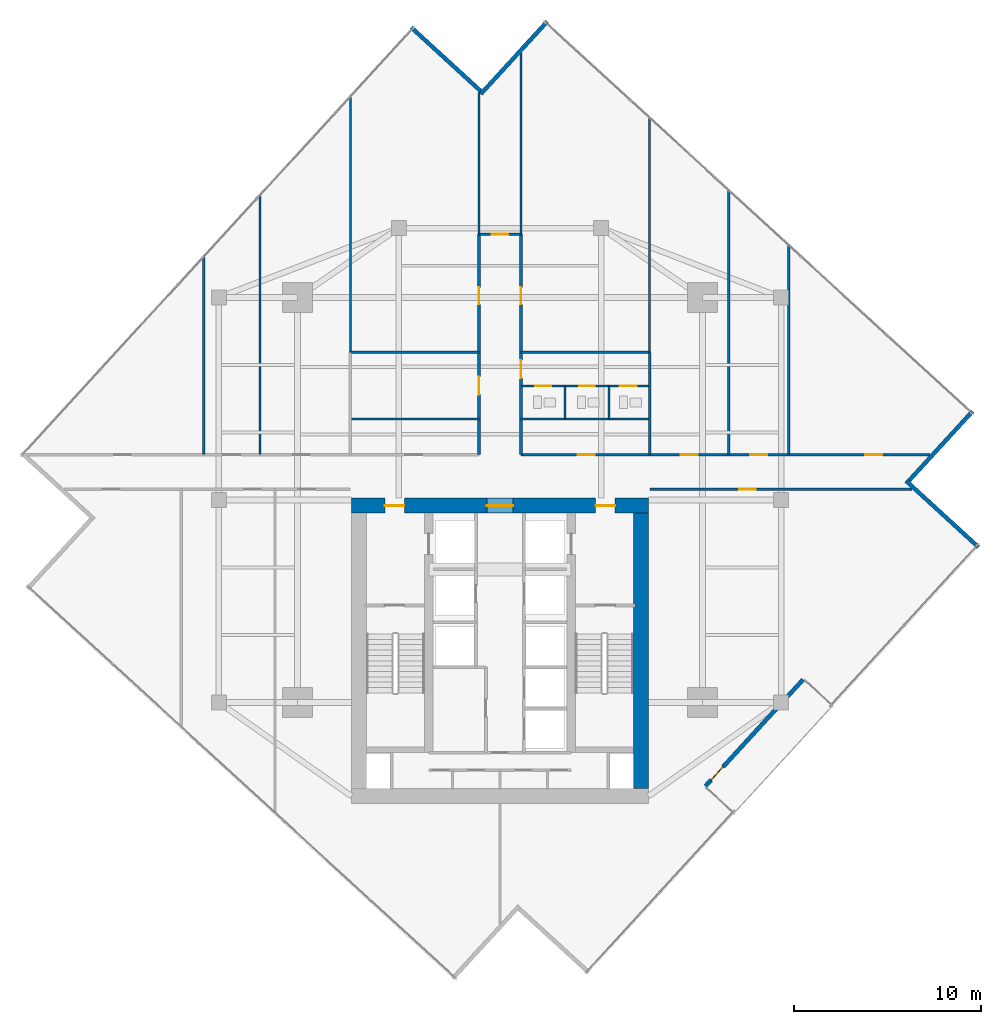
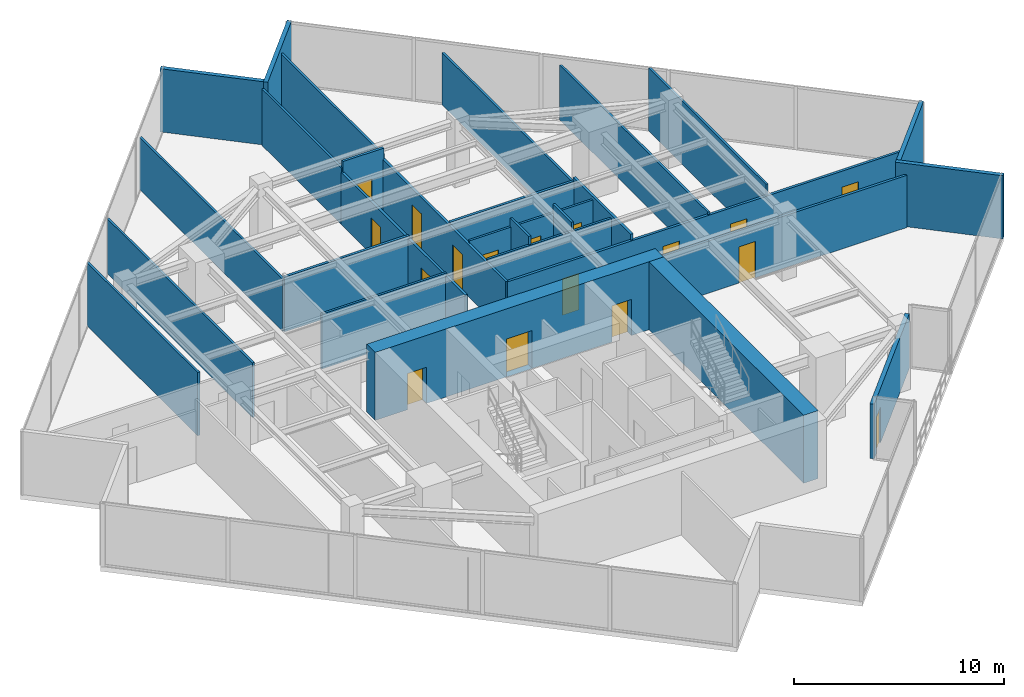
# One storey, part 23 of 26: 28 walls, 17 doors, 17 openings.
"""IFC4 building model written with IfcOpenShell, lengths in metres."""

from ifc_helpers import new_model, si_unit, direction, frame, frame_2d, origin, place, context, subcontext, project, spatial, rectangle, extrude, material, layer, layer_set, type_object, element, fill, save


model = new_model("IFC4")

# Units and contexts
model_context = context("Model", 3, precision=1e-05, world=origin(), true_north=direction((0.0, 1.0)))
body_context = subcontext(model_context, "Body", "Model", "MODEL_VIEW")
ifc_project = project(units=[si_unit("LENGTHUNIT", "METRE"), si_unit("AREAUNIT", "SQUARE_METRE"), si_unit("VOLUMEUNIT", "CUBIC_METRE"), si_unit("PLANEANGLEUNIT", "RADIAN"), si_unit("MASSUNIT", "GRAM", prefix="KILO")], contexts=[model_context])

# Site, building, storey
site_placement = place(None, origin())
site = spatial("IfcSite", under=ifc_project, at=site_placement, CompositionType="ELEMENT")
building_placement = place(site_placement, origin())
building = spatial("IfcBuilding", under=site, at=building_placement, Name="Krantzveldt Concourse Tower", CompositionType="ELEMENT")
storey_placement = place(building_placement, frame((0.0, 0.0, 223.10009765625)))
storey = spatial("IfcBuildingStorey", under=building, at=storey_placement, Name="L54", CompositionType="ELEMENT", Elevation=223.10009765625)

# Wall
ifc_material_1 = material(Name="Anodised aluminium 6063-T6", Category="aluminium")
ifc_layer_1 = layer(ifc_material_1, 0.219970703125, Name="Anodised aluminium 6063-T6", Category="aluminium")
ifc_layer_set_1 = layer_set([ifc_layer_1], Name="Anodised aluminium 6063-T6 (WL-EXT-NOTCH220)")
wall_type_1 = type_object("IfcWallType", Name="WL-EXT-NOTCH220", PredefinedType="ELEMENTEDWALL", material=ifc_layer_set_1)
wall_1_placement = place(storey_placement, frame((34.969482421875, 48.518310546875, 0.0), z_axis=(0.0, 0.0, 1.0), x_axis=(-0.737285215553, 0.675581609375, 0.0)))
element("IfcWall", 1, at=wall_1_placement, inside=storey, type_object=wall_type_1, Name="EW-L54-NCH00", PredefinedType="ELEMENTEDWALL", context=body_context, shape_type="SweptSolid", body=[
    extrude(rectangle(XDim=5.02490234375, YDim=0.219970703125, at=frame_2d((2.512451171875, 0.0))), origin(), (0.0, 0.0, 1.0), 3.669921875),
])

# Wall, opening, door
wall_2_placement = place(storey_placement, frame((52.15625, 17.11083984375, 0.0), z_axis=(0.0, 0.0, 1.0), x_axis=(-0.675590917682, -0.737276686153, 0.0)))
wall_2 = element("IfcWall", 2, at=wall_2_placement, inside=storey, type_object=wall_type_1, Name="EW-L54-TSLOT", PredefinedType="ELEMENTEDWALL", context=body_context, shape_type="SweptSolid", body=[
    extrude(rectangle(XDim=7.68994140625, YDim=0.219970703125, at=frame_2d((3.844970703125, 0.0))), origin(), (0.0, 0.0, 1.0), 3.179931640625),
])
opening_1_placement = place(wall_2_placement, frame((6.2900390625, 0.0, 0.0)))
opening_1 = element("IfcOpeningElement", 3, at=opening_1_placement, cuts=wall_2, Name="Opening D-EX95", PredefinedType="OPENING", context=body_context, shape_type="SweptSolid", body=[
    extrude(rectangle(XDim=0.949951171875, YDim=2.10009765625, at=frame_2d((0.47509765625, 1.050048828125))), frame((0.0, 0.1201171875, 0.0), z_axis=(0.0, -1.0, 0.0), x_axis=(1.0, 0.0, 0.0)), (0.0, 0.0, 1.0), 0.239990234375),
])
door_type_1 = type_object("IfcDoorType", Name="DR-EXT-950", OperationType="SINGLE_SWING_LEFT", PredefinedType="DOOR", material=ifc_material_1)
door_1_placement = place(opening_1_placement, origin())
door_1 = element("IfcDoor", 4, at=door_1_placement, inside=storey, type_object=door_type_1, Name="DR-L54-TERR", OperationType="SINGLE_SWING_LEFT", OverallHeight=2.10009765625, OverallWidth=0.949951171875, PredefinedType="DOOR", context=body_context, shape_type="SweptSolid", body=[
    extrude(rectangle(XDim=0.949951171875, YDim=2.10009765625, at=frame_2d((0.47509765625, 1.050048828125))), frame((0.0, 0.02490234375, 0.0), z_axis=(0.0, -1.0, 0.0), x_axis=(1.0, 0.0, 0.0)), (0.0, 0.0, 1.0), 0.050048828125),
])
fill(opening_1, door_1)

# Walls
wall_3_placement = place(storey_placement, frame((61.530029296875, 24.18017578125, 0.0), z_axis=(0.0, 0.0, 1.0), x_axis=(-0.737293236511, 0.675572855727, 0.0)))
element("IfcWall", 5, at=wall_3_placement, inside=storey, type_object=wall_type_1, Name="EW-L54-NCH12", PredefinedType="ELEMENTEDWALL", context=body_context, shape_type="SweptSolid", body=[
    extrude(rectangle(XDim=5.2451171875, YDim=0.219970703125, at=frame_2d((2.62255859375, 0.0))), origin(), (0.0, 0.0, 1.0), 3.669921875),
])
wall_4_placement = place(storey_placement, frame((57.818359375, 27.73046875, 0.0), z_axis=(0.0, 0.0, 1.0), x_axis=(0.675581609375, 0.737285215553, 0.0)))
element("IfcWall", 6, at=wall_4_placement, inside=storey, type_object=wall_type_1, Name="EW-L54-NCH13", PredefinedType="ELEMENTEDWALL", context=body_context, shape_type="SweptSolid", body=[
    extrude(rectangle(XDim=5.02490234375, YDim=0.219970703125, at=frame_2d((2.512451171875, 0.0))), origin(), (0.0, 0.0, 1.0), 3.669921875),
])
wall_5_placement = place(storey_placement, frame((38.519775390625, 52.22998046875, 0.0), z_axis=(0.0, 0.0, 1.0), x_axis=(-0.675596040677, -0.737271991752, 0.0)))
element("IfcWall", 7, at=wall_5_placement, inside=storey, type_object=wall_type_1, Name="EW-L54-NCH15", PredefinedType="ELEMENTEDWALL", context=body_context, shape_type="SweptSolid", body=[
    extrude(rectangle(XDim=5.244873046875, YDim=0.219970703125, at=frame_2d((2.62255859375, 0.0))), origin(), (0.0, 0.0, 1.0), 3.669921875),
])
ifc_material_2 = material(Name="Fire-rated gypsum plasterboard on steel stud", Category="steel")
ifc_layer_2 = layer(ifc_material_2, 0.1201171875, Name="Fire-rated gypsum plasterboard on steel stud", Category="steel")
ifc_layer_set_2 = layer_set([ifc_layer_2], Name="Fire-rated gypsum plasterboard on steel stud (WL-PART-120)")
wall_type_2 = type_object("IfcWallType", Name="WL-PART-120", PredefinedType="PARTITIONING", material=ifc_layer_set_2)
for number, where, z_axis, x_axis, name in (
    (8, (28.02001953125, 31.02001953125, 0.0), (0.0, 0.0, 1.0), (1.0, 0.0, 0.0), "WP-L54-ISML"),
    (9, (37.1201171875, 31.02001953125, 0.0), (0.0, 0.0, 1.0), (1.0, 0.0, 0.0), "WP-L54-ISMR"),
):
    element("IfcWall", number, at=place(storey_placement, frame(where, z_axis=z_axis, x_axis=x_axis)), inside=storey, type_object=wall_type_2, Name=name, PredefinedType="PARTITIONING", context=body_context, shape_type="SweptSolid", body=[
        extrude(rectangle(XDim=6.85986328125, YDim=0.1201171875, at=frame_2d((3.429931640625, 0.0))), origin(), (0.0, 0.0, 1.0), 3.179931640625),
    ])

# Wall, openings, doors
wall_6_placement = place(storey_placement, frame((37.14990234375, 32.780029296875, 0.0), z_axis=(0.0, 0.0, 1.0), x_axis=(1.0, 0.0, 0.0)))
wall_6 = element("IfcWall", 10, at=wall_6_placement, inside=storey, type_object=wall_type_2, Name="WP-L54-WCHDR", PredefinedType="PARTITIONING", context=body_context, shape_type="SweptSolid", body=[
    extrude(rectangle(XDim=6.800048828125, YDim=0.1201171875, at=frame_2d((3.39990234375, 0.0))), origin(), (0.0, 0.0, 1.0), 3.179931640625),
])
opening_2_placement = place(wall_6_placement, frame((0.72509765625, 0.0, 0.0)))
opening_2 = element("IfcOpeningElement", 11, at=opening_2_placement, cuts=wall_6, Name="Opening D-IN085", PredefinedType="OPENING", context=body_context, shape_type="SweptSolid", body=[
    extrude(rectangle(XDim=0.85009765625, YDim=2.10009765625, at=frame_2d((0.425048828125, 1.050048828125))), frame((0.0, 0.070068359375, 0.0), z_axis=(0.0, -1.0, 0.0), x_axis=(1.0, 0.0, 0.0)), (0.0, 0.0, 1.0), 0.14013671875),
])
opening_3_placement = place(wall_6_placement, frame((3.06494140625, 0.0, 0.0)))
opening_3 = element("IfcOpeningElement", 12, at=opening_3_placement, cuts=wall_6, Name="Opening D-IN085", PredefinedType="OPENING", context=body_context, shape_type="SweptSolid", body=[
    extrude(rectangle(XDim=0.85009765625, YDim=2.10009765625, at=frame_2d((0.425048828125, 1.050048828125))), frame((0.0, 0.070068359375, 0.0), z_axis=(0.0, -1.0, 0.0), x_axis=(1.0, 0.0, 0.0)), (0.0, 0.0, 1.0), 0.14013671875),
])
opening_4_placement = place(wall_6_placement, frame((5.25, 0.0, 0.0)))
opening_4 = element("IfcOpeningElement", 13, at=opening_4_placement, cuts=wall_6, Name="Opening D-IN090", PredefinedType="OPENING", context=body_context, shape_type="SweptSolid", body=[
    extrude(rectangle(XDim=0.89990234375, YDim=2.10009765625, at=frame_2d((0.449951171875, 1.050048828125))), frame((0.0, 0.070068359375, 0.0), z_axis=(0.0, -1.0, 0.0), x_axis=(1.0, 0.0, 0.0)), (0.0, 0.0, 1.0), 0.14013671875),
])
ifc_material_3 = material(Name="Hardwood timber", Category="wood")
door_type_2 = type_object("IfcDoorType", Name="DR-INT-850", OperationType="SINGLE_SWING_LEFT", PredefinedType="DOOR", material=ifc_material_3)
door_2_placement = place(opening_2_placement, origin())
door_2 = element("IfcDoor", 14, at=door_2_placement, inside=storey, type_object=door_type_2, Name="DR-L54-WCM", OperationType="SINGLE_SWING_LEFT", OverallHeight=2.10009765625, OverallWidth=0.85009765625, PredefinedType="DOOR", context=body_context, shape_type="SweptSolid", body=[
    extrude(rectangle(XDim=0.85009765625, YDim=2.10009765625, at=frame_2d((0.425048828125, 1.050048828125))), frame((0.0, 0.02490234375, 0.0), z_axis=(0.0, -1.0, 0.0), x_axis=(1.0, 0.0, 0.0)), (0.0, 0.0, 1.0), 0.050048828125),
])
fill(opening_2, door_2)
door_3_placement = place(opening_3_placement, origin())
door_3 = element("IfcDoor", 15, at=door_3_placement, inside=storey, type_object=door_type_2, Name="DR-L54-WCF", OperationType="SINGLE_SWING_RIGHT", OverallHeight=2.10009765625, OverallWidth=0.85009765625, PredefinedType="DOOR", context=body_context, shape_type="SweptSolid", body=[
    extrude(rectangle(XDim=0.85009765625, YDim=2.10009765625, at=frame_2d((0.425048828125, 1.050048828125))), frame((0.0, 0.02490234375, 0.0), z_axis=(0.0, -1.0, 0.0), x_axis=(1.0, 0.0, 0.0)), (0.0, 0.0, 1.0), 0.050048828125),
])
fill(opening_3, door_3)
door_type_3 = type_object("IfcDoorType", Name="DR-INT-900", OperationType="SINGLE_SWING_LEFT", PredefinedType="DOOR", material=ifc_material_3)
door_4_placement = place(opening_4_placement, origin())
door_4 = element("IfcDoor", 16, at=door_4_placement, inside=storey, type_object=door_type_3, Name="DR-L54-WCA", OperationType="SINGLE_SWING_LEFT", OverallHeight=2.10009765625, OverallWidth=0.89990234375, PredefinedType="DOOR", context=body_context, shape_type="SweptSolid", body=[
    extrude(rectangle(XDim=0.89990234375, YDim=2.10009765625, at=frame_2d((0.449951171875, 1.050048828125))), frame((0.0, 0.02490234375, 0.0), z_axis=(0.0, -1.0, 0.0), x_axis=(1.0, 0.0, 0.0)), (0.0, 0.0, 1.0), 0.050048828125),
])
fill(opening_4, door_4)

# Walls
for number, where, z_axis, x_axis, name in (
    (17, (39.469970703125, 31.02001953125, 0.0), (0.0, 0.0, 1.0), (0.0, 1.0, 0.0), "WP-L54-WCD1"),
    (18, (41.81005859375, 31.02001953125, 0.0), (0.0, 0.0, 1.0), (0.0, 1.0, 0.0), "WP-L54-WCD2"),
):
    element("IfcWall", number, at=place(storey_placement, frame(where, z_axis=z_axis, x_axis=x_axis)), inside=storey, type_object=wall_type_2, Name=name, PredefinedType="PARTITIONING", context=body_context, shape_type="SweptSolid", body=[
        extrude(rectangle(XDim=1.760009765625, YDim=0.1201171875, at=frame_2d((0.8798828125, 0.0))), origin(), (0.0, 0.0, 1.0), 3.669921875),
    ])
wall_7_placement = place(storey_placement, frame((34.8798828125, 40.8798828125, 0.0), z_axis=(0.0, 0.0, 1.0), x_axis=(0.0, 1.0, 0.0)))
element("IfcWall", 19, at=wall_7_placement, inside=storey, type_object=wall_type_2, Name="WP-L54-NTL", PredefinedType="PARTITIONING", context=body_context, shape_type="SweptSolid", body=[
    extrude(rectangle(XDim=7.564453125, YDim=0.1201171875, at=frame_2d((3.7822265625, 0.0))), origin(), (0.0, 0.0, 1.0), 3.27978515625),
])
wall_8_placement = place(storey_placement, frame((37.1201171875, 40.8798828125, 0.0), z_axis=(0.0, 0.0, 1.0), x_axis=(0.0, 1.0, 0.0)))
element("IfcWall", 20, at=wall_8_placement, inside=storey, type_object=wall_type_2, Name="WP-L54-NTR", PredefinedType="PARTITIONING", context=body_context, shape_type="SweptSolid", body=[
    extrude(rectangle(XDim=9.65234375, YDim=0.1201171875, at=frame_2d((4.826171875, 0.0))), origin(), (0.0, 0.0, 1.0), 3.27978515625),
])
wall_9_placement = place(storey_placement, frame((20.199951171875, 29.1201171875, 0.0), z_axis=(0.0, 0.0, 1.0), x_axis=(0.0, 1.0, 0.0)))
element("IfcWall", 21, at=wall_9_placement, inside=storey, type_object=wall_type_2, Name="WP-L54-NWX1", PredefinedType="PARTITIONING", context=body_context, shape_type="SweptSolid", body=[
    extrude(rectangle(XDim=10.5478515625, YDim=0.1201171875, at=frame_2d((5.27392578125, 0.0))), origin(), (0.0, 0.0, 1.0), 3.669921875),
])
wall_10_placement = place(storey_placement, frame((23.199951171875, 29.1201171875, 0.0), z_axis=(0.0, 0.0, 1.0), x_axis=(0.0, 1.0, 0.0)))
element("IfcWall", 22, at=wall_10_placement, inside=storey, type_object=wall_type_2, Name="WP-L54-NWX2", PredefinedType="PARTITIONING", context=body_context, shape_type="SweptSolid", body=[
    extrude(rectangle(XDim=13.82177734375, YDim=0.1201171875, at=frame_2d((6.910888671875, 0.0))), origin(), (0.0, 0.0, 1.0), 3.179931640625),
])
wall_11_placement = place(storey_placement, frame((28.02001953125, 34.580078125, 0.0), z_axis=(0.0, 0.0, 1.0), x_axis=(0.0, 1.0, 0.0)))
element("IfcWall", 23, at=wall_11_placement, inside=storey, type_object=wall_type_2, Name="WP-L54-ISWL2", PredefinedType="PARTITIONING", context=body_context, shape_type="SweptSolid", body=[
    extrude(rectangle(XDim=13.621826171875, YDim=0.1201171875, at=frame_2d((6.81103515625, 0.0))), origin(), (0.0, 0.0, 1.0), 3.02978515625),
])
wall_12_placement = place(storey_placement, frame((43.97998046875, 34.580078125, 0.0), z_axis=(0.0, 0.0, 1.0), x_axis=(0.0, 1.0, 0.0)))
element("IfcWall", 24, at=wall_12_placement, inside=storey, type_object=wall_type_2, Name="WP-L54-ISER2", PredefinedType="PARTITIONING", context=body_context, shape_type="SweptSolid", body=[
    extrude(rectangle(XDim=12.490478515625, YDim=0.1201171875, at=frame_2d((6.2451171875, 0.0))), origin(), (0.0, 0.0, 1.0), 3.02978515625),
])
wall_13_placement = place(storey_placement, frame((48.199951171875, 29.1201171875, 0.0), z_axis=(0.0, 0.0, 1.0), x_axis=(0.0, 1.0, 0.0)))
element("IfcWall", 25, at=wall_13_placement, inside=storey, type_object=wall_type_2, Name="WP-L54-NEX1", PredefinedType="PARTITIONING", context=body_context, shape_type="SweptSolid", body=[
    extrude(rectangle(XDim=14.08349609375, YDim=0.1201171875, at=frame_2d((7.041748046875, 0.0))), origin(), (0.0, 0.0, 1.0), 3.179931640625),
])
wall_14_placement = place(storey_placement, frame((51.39990234375, 29.1201171875, 0.0), z_axis=(0.0, 0.0, 1.0), x_axis=(0.0, 1.0, 0.0)))
element("IfcWall", 26, at=wall_14_placement, inside=storey, type_object=wall_type_2, Name="WP-L54-NEX2", PredefinedType="PARTITIONING", context=body_context, shape_type="SweptSolid", body=[
    extrude(rectangle(XDim=11.1513671875, YDim=0.1201171875, at=frame_2d((5.57568359375, 0.0))), origin(), (0.0, 0.0, 1.0), 3.669921875),
])

# Wall, openings, doors
ifc_layer_3 = layer(ifc_material_2, 0.139892578125, Name="Fire-rated gypsum plasterboard on steel stud", Category="steel")
ifc_layer_set_3 = layer_set([ifc_layer_3], Name="Fire-rated gypsum plasterboard on steel stud (WL-PART-140)")
wall_type_3 = type_object("IfcWallType", Name="WL-PART-140", PredefinedType="PARTITIONING", material=ifc_layer_set_3)
wall_15_placement = place(storey_placement, frame((34.8798828125, 29.1201171875, 0.0), z_axis=(0.0, 0.0, 1.0), x_axis=(0.0, 1.0, 0.0)))
wall_15 = element("IfcWall", 27, at=wall_15_placement, inside=storey, type_object=wall_type_3, Name="WP-L54-SPWL", PredefinedType="PARTITIONING", context=body_context, shape_type="SweptSolid", body=[
    extrude(rectangle(XDim=11.759765625, YDim=0.139892578125, at=frame_2d((5.8798828125, 0.0))), origin(), (0.0, 0.0, 1.0), 3.02978515625),
])
opening_5_placement = place(wall_15_placement, frame((3.205078125, 0.0, 0.0)))
opening_5 = element("IfcOpeningElement", 28, at=opening_5_placement, cuts=wall_15, Name="Opening D-IN095", PredefinedType="OPENING", context=body_context, shape_type="SweptSolid", body=[
    extrude(rectangle(XDim=0.949951171875, YDim=2.10009765625, at=frame_2d((0.47509765625, 1.050048828125))), frame((0.0, 0.080078125, 0.0), z_axis=(0.0, -1.0, 0.0), x_axis=(1.0, 0.0, 0.0)), (0.0, 0.0, 1.0), 0.159912109375),
])
opening_6_placement = place(wall_15_placement, frame((8.02001953125, 0.0, 0.0)))
opening_6 = element("IfcOpeningElement", 29, at=opening_6_placement, cuts=wall_15, Name="Opening D-IN090", PredefinedType="OPENING", context=body_context, shape_type="SweptSolid", body=[
    extrude(rectangle(XDim=0.89990234375, YDim=2.10009765625, at=frame_2d((0.449951171875, 1.050048828125))), frame((0.0, 0.080078125, 0.0), z_axis=(0.0, -1.0, 0.0), x_axis=(1.0, 0.0, 0.0)), (0.0, 0.0, 1.0), 0.159912109375),
])
door_5_placement = place(opening_6_placement, origin())
door_5 = element("IfcDoor", 30, at=door_5_placement, inside=storey, type_object=door_type_3, Name="DR-L54-NWI1", OperationType="SINGLE_SWING_LEFT", OverallHeight=2.10009765625, OverallWidth=0.89990234375, PredefinedType="DOOR", context=body_context, shape_type="SweptSolid", body=[
    extrude(rectangle(XDim=0.89990234375, YDim=2.10009765625, at=frame_2d((0.449951171875, 1.050048828125))), frame((0.0, 0.02490234375, 0.0), z_axis=(0.0, -1.0, 0.0), x_axis=(1.0, 0.0, 0.0)), (0.0, 0.0, 1.0), 0.050048828125),
])
fill(opening_6, door_5)
door_type_4 = type_object("IfcDoorType", Name="DR-INT-950", OperationType="SINGLE_SWING_LEFT", PredefinedType="DOOR", material=ifc_material_3)
door_6_placement = place(opening_5_placement, origin())
door_6 = element("IfcDoor", 31, at=door_6_placement, inside=storey, type_object=door_type_4, Name="DR-L54-PNT", OperationType="SINGLE_SWING_RIGHT", OverallHeight=2.10009765625, OverallWidth=0.949951171875, PredefinedType="DOOR", context=body_context, shape_type="SweptSolid", body=[
    extrude(rectangle(XDim=0.949951171875, YDim=2.10009765625, at=frame_2d((0.47509765625, 1.050048828125))), frame((0.0, 0.02490234375, 0.0), z_axis=(0.0, -1.0, 0.0), x_axis=(1.0, 0.0, 0.0)), (0.0, 0.0, 1.0), 0.050048828125),
])
fill(opening_5, door_6)

wall_16_placement = place(storey_placement, frame((37.1201171875, 29.1201171875, 0.0), z_axis=(0.0, 0.0, 1.0), x_axis=(0.0, 1.0, 0.0)))
wall_16 = element("IfcWall", 32, at=wall_16_placement, inside=storey, type_object=wall_type_3, Name="WP-L54-SPER", PredefinedType="PARTITIONING", context=body_context, shape_type="SweptSolid", body=[
    extrude(rectangle(XDim=11.759765625, YDim=0.139892578125, at=frame_2d((5.8798828125, 0.0))), origin(), (0.0, 0.0, 1.0), 3.02978515625),
])
opening_7_placement = place(wall_16_placement, frame((4.0849609375, 0.0, 0.0)))
opening_7 = element("IfcOpeningElement", 33, at=opening_7_placement, cuts=wall_16, Name="Opening D-IN095", PredefinedType="OPENING", context=body_context, shape_type="SweptSolid", body=[
    extrude(rectangle(XDim=0.949951171875, YDim=2.10009765625, at=frame_2d((0.47509765625, 1.050048828125))), frame((0.0, 0.080078125, 0.0), z_axis=(0.0, -1.0, 0.0), x_axis=(1.0, 0.0, 0.0)), (0.0, 0.0, 1.0), 0.159912109375),
])
opening_8_placement = place(wall_16_placement, frame((8.02001953125, 0.0, 0.0)))
opening_8 = element("IfcOpeningElement", 34, at=opening_8_placement, cuts=wall_16, Name="Opening D-IN090", PredefinedType="OPENING", context=body_context, shape_type="SweptSolid", body=[
    extrude(rectangle(XDim=0.89990234375, YDim=2.10009765625, at=frame_2d((0.449951171875, 1.050048828125))), frame((0.0, 0.080078125, 0.0), z_axis=(0.0, -1.0, 0.0), x_axis=(1.0, 0.0, 0.0)), (0.0, 0.0, 1.0), 0.159912109375),
])
door_7_placement = place(opening_8_placement, origin())
door_7 = element("IfcDoor", 35, at=door_7_placement, inside=storey, type_object=door_type_3, Name="DR-L54-NEI1", OperationType="SINGLE_SWING_LEFT", OverallHeight=2.10009765625, OverallWidth=0.89990234375, PredefinedType="DOOR", context=body_context, shape_type="SweptSolid", body=[
    extrude(rectangle(XDim=0.89990234375, YDim=2.10009765625, at=frame_2d((0.449951171875, 1.050048828125))), frame((0.0, 0.02490234375, 0.0), z_axis=(0.0, -1.0, 0.0), x_axis=(1.0, 0.0, 0.0)), (0.0, 0.0, 1.0), 0.050048828125),
])
fill(opening_8, door_7)
door_8_placement = place(opening_7_placement, origin())
door_8 = element("IfcDoor", 36, at=door_8_placement, inside=storey, type_object=door_type_4, Name="DR-L54-WCLB", OperationType="SINGLE_SWING_LEFT", OverallHeight=2.10009765625, OverallWidth=0.949951171875, PredefinedType="DOOR", context=body_context, shape_type="SweptSolid", body=[
    extrude(rectangle(XDim=0.949951171875, YDim=2.10009765625, at=frame_2d((0.47509765625, 1.050048828125))), frame((0.0, 0.02490234375, 0.0), z_axis=(0.0, -1.0, 0.0), x_axis=(1.0, 0.0, 0.0)), (0.0, 0.0, 1.0), 0.050048828125),
])
fill(opening_7, door_8)

# Wall, opening, door
wall_17_placement = place(storey_placement, frame((34.8798828125, 40.8798828125, 0.0), z_axis=(0.0, 0.0, 1.0), x_axis=(1.0, 0.0, 0.0)))
wall_17 = element("IfcWall", 37, at=wall_17_placement, inside=storey, type_object=wall_type_3, Name="WP-L54-SPTOP", PredefinedType="PARTITIONING", context=body_context, shape_type="SweptSolid", body=[
    extrude(rectangle(XDim=2.240234375, YDim=0.139892578125, at=frame_2d((1.1201171875, 0.0))), origin(), (0.0, 0.0, 1.0), 3.669921875),
])
opening_9_placement = place(wall_17_placement, frame((0.669921875, 0.0, 0.0)))
opening_9 = element("IfcOpeningElement", 38, at=opening_9_placement, cuts=wall_17, Name="Opening D-IN090", PredefinedType="OPENING", context=body_context, shape_type="SweptSolid", body=[
    extrude(rectangle(XDim=0.89990234375, YDim=2.10009765625, at=frame_2d((0.449951171875, 1.050048828125))), frame((0.0, 0.080078125, 0.0), z_axis=(0.0, -1.0, 0.0), x_axis=(1.0, 0.0, 0.0)), (0.0, 0.0, 1.0), 0.159912109375),
])
door_9_placement = place(opening_9_placement, origin())
door_9 = element("IfcDoor", 39, at=door_9_placement, inside=storey, type_object=door_type_3, Name="DR-L54-NTOP", OperationType="SINGLE_SWING_LEFT", OverallHeight=2.10009765625, OverallWidth=0.89990234375, PredefinedType="DOOR", context=body_context, shape_type="SweptSolid", body=[
    extrude(rectangle(XDim=0.89990234375, YDim=2.10009765625, at=frame_2d((0.449951171875, 1.050048828125))), frame((0.0, 0.02490234375, 0.0), z_axis=(0.0, -1.0, 0.0), x_axis=(1.0, 0.0, 0.0)), (0.0, 0.0, 1.0), 0.050048828125),
])
fill(opening_9, door_9)

# Wall, openings, doors
wall_18_placement = place(storey_placement, frame((37.1201171875, 29.1201171875, 0.0), z_axis=(0.0, 0.0, 1.0), x_axis=(1.0, 0.0, 0.0)))
wall_18 = element("IfcWall", 40, at=wall_18_placement, inside=storey, type_object=wall_type_3, Name="WP-L54-EWNR", PredefinedType="PARTITIONING", context=body_context, shape_type="SweptSolid", body=[
    extrude(rectangle(XDim=21.8154296875, YDim=0.139892578125, at=frame_2d((10.90771484375, 0.0))), origin(), (0.0, 0.0, 1.0), 3.02978515625),
])
opening_10_placement = place(wall_18_placement, frame((3.030029296875, 0.0, 0.0)))
opening_10 = element("IfcOpeningElement", 41, at=opening_10_placement, cuts=wall_18, Name="Opening D-IN090", PredefinedType="OPENING", context=body_context, shape_type="SweptSolid", body=[
    extrude(rectangle(XDim=0.89990234375, YDim=2.10009765625, at=frame_2d((0.449951171875, 1.050048828125))), frame((0.0, 0.080078125, 0.0), z_axis=(0.0, -1.0, 0.0), x_axis=(1.0, 0.0, 0.0)), (0.0, 0.0, 1.0), 0.159912109375),
])
opening_11_placement = place(wall_18_placement, frame((8.52001953125, 0.0, 0.0)))
opening_11 = element("IfcOpeningElement", 42, at=opening_11_placement, cuts=wall_18, Name="Opening D-IN090", PredefinedType="OPENING", context=body_context, shape_type="SweptSolid", body=[
    extrude(rectangle(XDim=0.89990234375, YDim=2.10009765625, at=frame_2d((0.449951171875, 1.050048828125))), frame((0.0, 0.080078125, 0.0), z_axis=(0.0, -1.0, 0.0), x_axis=(1.0, 0.0, 0.0)), (0.0, 0.0, 1.0), 0.159912109375),
])
opening_12_placement = place(wall_18_placement, frame((12.22998046875, 0.0, 0.0)))
opening_12 = element("IfcOpeningElement", 43, at=opening_12_placement, cuts=wall_18, Name="Opening D-IN090", PredefinedType="OPENING", context=body_context, shape_type="SweptSolid", body=[
    extrude(rectangle(XDim=0.89990234375, YDim=2.10009765625, at=frame_2d((0.449951171875, 1.050048828125))), frame((0.0, 0.080078125, 0.0), z_axis=(0.0, -1.0, 0.0), x_axis=(1.0, 0.0, 0.0)), (0.0, 0.0, 1.0), 0.159912109375),
])
opening_13_placement = place(wall_18_placement, frame((18.366943359375, 0.0, 0.0)))
opening_13 = element("IfcOpeningElement", 44, at=opening_13_placement, cuts=wall_18, Name="Opening D-IN090", PredefinedType="OPENING", context=body_context, shape_type="SweptSolid", body=[
    extrude(rectangle(XDim=0.89990234375, YDim=2.10009765625, at=frame_2d((0.449951171875, 1.050048828125))), frame((0.0, 0.080078125, 0.0), z_axis=(0.0, -1.0, 0.0), x_axis=(1.0, 0.0, 0.0)), (0.0, 0.0, 1.0), 0.159912109375),
])
door_10_placement = place(opening_10_placement, origin())
door_10 = element("IfcDoor", 45, at=door_10_placement, inside=storey, type_object=door_type_3, Name="DR-L54-ALCR", OperationType="SINGLE_SWING_RIGHT", OverallHeight=2.10009765625, OverallWidth=0.89990234375, PredefinedType="DOOR", context=body_context, shape_type="SweptSolid", body=[
    extrude(rectangle(XDim=0.89990234375, YDim=2.10009765625, at=frame_2d((0.449951171875, 1.050048828125))), frame((0.0, 0.02490234375, 0.0), z_axis=(0.0, -1.0, 0.0), x_axis=(1.0, 0.0, 0.0)), (0.0, 0.0, 1.0), 0.050048828125),
])
fill(opening_10, door_10)
door_11_placement = place(opening_11_placement, origin())
door_11 = element("IfcDoor", 46, at=door_11_placement, inside=storey, type_object=door_type_3, Name="DR-L54-NEX1", OperationType="SINGLE_SWING_RIGHT", OverallHeight=2.10009765625, OverallWidth=0.89990234375, PredefinedType="DOOR", context=body_context, shape_type="SweptSolid", body=[
    extrude(rectangle(XDim=0.89990234375, YDim=2.10009765625, at=frame_2d((0.449951171875, 1.050048828125))), frame((0.0, 0.02490234375, 0.0), z_axis=(0.0, -1.0, 0.0), x_axis=(1.0, 0.0, 0.0)), (0.0, 0.0, 1.0), 0.050048828125),
])
fill(opening_11, door_11)
door_12_placement = place(opening_12_placement, origin())
door_12 = element("IfcDoor", 47, at=door_12_placement, inside=storey, type_object=door_type_3, Name="DR-L54-NEX2", OperationType="SINGLE_SWING_RIGHT", OverallHeight=2.10009765625, OverallWidth=0.89990234375, PredefinedType="DOOR", context=body_context, shape_type="SweptSolid", body=[
    extrude(rectangle(XDim=0.89990234375, YDim=2.10009765625, at=frame_2d((0.449951171875, 1.050048828125))), frame((0.0, 0.02490234375, 0.0), z_axis=(0.0, -1.0, 0.0), x_axis=(1.0, 0.0, 0.0)), (0.0, 0.0, 1.0), 0.050048828125),
])
fill(opening_12, door_12)
door_13_placement = place(opening_13_placement, origin())
door_13 = element("IfcDoor", 48, at=door_13_placement, inside=storey, type_object=door_type_3, Name="DR-L54-NEX3", OperationType="SINGLE_SWING_RIGHT", OverallHeight=2.10009765625, OverallWidth=0.89990234375, PredefinedType="DOOR", context=body_context, shape_type="SweptSolid", body=[
    extrude(rectangle(XDim=0.89990234375, YDim=2.10009765625, at=frame_2d((0.449951171875, 1.050048828125))), frame((0.0, 0.02490234375, 0.0), z_axis=(0.0, -1.0, 0.0), x_axis=(1.0, 0.0, 0.0)), (0.0, 0.0, 1.0), 0.050048828125),
])
fill(opening_13, door_13)

# Wall, opening, door
wall_19_placement = place(storey_placement, frame((44.0, 27.280029296875, 0.0), z_axis=(0.0, 0.0, 1.0), x_axis=(1.0, 0.0, 0.0)))
wall_19 = element("IfcWall", 49, at=wall_19_placement, inside=storey, type_object=wall_type_3, Name="WP-L54-EWSR", PredefinedType="PARTITIONING", context=body_context, shape_type="SweptSolid", body=[
    extrude(rectangle(XDim=13.976806640625, YDim=0.139892578125, at=frame_2d((6.98828125, 0.0))), origin(), (0.0, 0.0, 1.0), 3.02978515625),
])
opening_14_placement = place(wall_19_placement, frame((4.75, 0.0, 0.0)))
opening_14 = element("IfcOpeningElement", 50, at=opening_14_placement, cuts=wall_19, Name="Opening D-IN090", PredefinedType="OPENING", context=body_context, shape_type="SweptSolid", body=[
    extrude(rectangle(XDim=0.89990234375, YDim=2.10009765625, at=frame_2d((0.449951171875, 1.050048828125))), frame((0.0, 0.080078125, 0.0), z_axis=(0.0, -1.0, 0.0), x_axis=(1.0, 0.0, 0.0)), (0.0, 0.0, 1.0), 0.159912109375),
])
door_14_placement = place(opening_14_placement, origin())
door_14 = element("IfcDoor", 51, at=door_14_placement, inside=storey, type_object=door_type_3, Name="DR-L54-SEX1", OperationType="SINGLE_SWING_RIGHT", OverallHeight=2.10009765625, OverallWidth=0.89990234375, PredefinedType="DOOR", context=body_context, shape_type="SweptSolid", body=[
    extrude(rectangle(XDim=0.89990234375, YDim=2.10009765625, at=frame_2d((0.449951171875, 1.050048828125))), frame((0.0, 0.02490234375, 0.0), z_axis=(0.0, -1.0, 0.0), x_axis=(1.0, 0.0, 0.0)), (0.0, 0.0, 1.0), 0.050048828125),
])
fill(opening_14, door_14)

# Walls
for number, where, z_axis, x_axis, name in (
    (52, (28.02001953125, 34.580078125, 0.0), (0.0, 0.0, 1.0), (1.0, 0.0, 0.0), "WP-L54-ISNL"),
    (53, (37.1201171875, 34.580078125, 0.0), (0.0, 0.0, 1.0), (1.0, 0.0, 0.0), "WP-L54-ISNR"),
):
    element("IfcWall", number, at=place(storey_placement, frame(where, z_axis=z_axis, x_axis=x_axis)), inside=storey, type_object=wall_type_3, Name=name, PredefinedType="PARTITIONING", context=body_context, shape_type="SweptSolid", body=[
        extrude(rectangle(XDim=6.85986328125, YDim=0.139892578125, at=frame_2d((3.429931640625, 0.0))), origin(), (0.0, 0.0, 1.0), 3.179931640625),
    ])
wall_20_placement = place(storey_placement, frame((43.97998046875, 29.1201171875, 0.0), z_axis=(0.0, 0.0, 1.0), x_axis=(0.0, 1.0, 0.0)))
element("IfcWall", 54, at=wall_20_placement, inside=storey, type_object=wall_type_3, Name="WP-L54-ISER", PredefinedType="PARTITIONING", context=body_context, shape_type="SweptSolid", body=[
    extrude(rectangle(XDim=5.4599609375, YDim=0.139892578125, at=frame_2d((2.72998046875, 0.0))), origin(), (0.0, 0.0, 1.0), 3.369873046875),
])

# Wall, openings, doors
ifc_material_4 = material(Name="Concrete C60/75", Category="concrete")
ifc_layer_4 = layer(ifc_material_4, 0.800048828125, Name="Concrete C60/75", Category="concrete")
ifc_layer_set_4 = layer_set([ifc_layer_4], Name="Concrete C60/75 (WL-SHEAR-800)")
wall_type_4 = type_object("IfcWallType", Name="WL-SHEAR-800", PredefinedType="SHEAR", material=ifc_layer_set_4)
wall_21_placement = place(storey_placement, frame((28.080078125, 26.39990234375, 0.0), z_axis=(0.0, 0.0, 1.0), x_axis=(1.0, 0.0, 0.0)))
wall_21 = element("IfcWall", 55, at=wall_21_placement, inside=storey, type_object=wall_type_4, Name="CW-L54-N", PredefinedType="SHEAR", context=body_context, shape_type="SweptSolid", body=[
    extrude(rectangle(XDim=15.83984375, YDim=0.800048828125, at=frame_2d((7.919921875, 0.0))), origin(), (0.0, 0.0, 1.0), 3.949951171875),
])
opening_15_placement = place(wall_21_placement, frame((7.219970703125, 0.0, 0.0)))
opening_15 = element("IfcOpeningElement", 56, at=opening_15_placement, cuts=wall_21, Name="Opening D-DB140", PredefinedType="OPENING", context=body_context, shape_type="SweptSolid", body=[
    extrude(rectangle(XDim=1.39990234375, YDim=2.199951171875, at=frame_2d((0.699951171875, 1.10009765625))), frame((0.0, 0.41015625, 0.0), z_axis=(0.0, -1.0, 0.0), x_axis=(1.0, 0.0, 0.0)), (0.0, 0.0, 1.0), 0.820068359375),
])
opening_16_placement = place(wall_21_placement, frame((1.77490234375, 0.0, 0.0)))
opening_16 = element("IfcOpeningElement", 57, at=opening_16_placement, cuts=wall_21, Name="Opening D-FD105", PredefinedType="OPENING", context=body_context, shape_type="SweptSolid", body=[
    extrude(rectangle(XDim=1.050048828125, YDim=2.10009765625, at=frame_2d((0.52490234375, 1.050048828125))), frame((0.0, 0.41015625, 0.0), z_axis=(0.0, -1.0, 0.0), x_axis=(1.0, 0.0, 0.0)), (0.0, 0.0, 1.0), 0.820068359375),
])
opening_17_placement = place(wall_21_placement, frame((13.014892578125, 0.0, 0.0)))
opening_17 = element("IfcOpeningElement", 58, at=opening_17_placement, cuts=wall_21, Name="Opening D-FD105", PredefinedType="OPENING", context=body_context, shape_type="SweptSolid", body=[
    extrude(rectangle(XDim=1.050048828125, YDim=2.10009765625, at=frame_2d((0.52490234375, 1.050048828125))), frame((0.0, 0.41015625, 0.0), z_axis=(0.0, -1.0, 0.0), x_axis=(1.0, 0.0, 0.0)), (0.0, 0.0, 1.0), 0.820068359375),
])
door_type_5 = type_object("IfcDoorType", Name="DR-DBL-1400", OperationType="DOUBLE_DOOR_SINGLE_SWING", PredefinedType="DOOR", material=ifc_material_1)
door_15_placement = place(opening_15_placement, origin())
door_15 = element("IfcDoor", 59, at=door_15_placement, inside=storey, type_object=door_type_5, Name="DR-L54-LLB", OperationType="DOUBLE_DOOR_SINGLE_SWING", OverallHeight=2.199951171875, OverallWidth=1.39990234375, PredefinedType="DOOR", context=body_context, shape_type="SweptSolid", body=[
    extrude(rectangle(XDim=1.39990234375, YDim=2.199951171875, at=frame_2d((0.699951171875, 1.10009765625))), frame((0.0, 0.02490234375, 0.0), z_axis=(0.0, -1.0, 0.0), x_axis=(1.0, 0.0, 0.0)), (0.0, 0.0, 1.0), 0.050048828125),
])
fill(opening_15, door_15)
ifc_material_5 = material(Name="Galvanised steel", Category="steel")
door_type_6 = type_object("IfcDoorType", Name="DR-FD120-1050", OperationType="SINGLE_SWING_LEFT", PredefinedType="DOOR", material=ifc_material_5)
door_16_placement = place(opening_16_placement, origin())
door_16 = element("IfcDoor", 60, at=door_16_placement, inside=storey, type_object=door_type_6, Name="DR-L54-FFL1", OperationType="SINGLE_SWING_LEFT", OverallHeight=2.10009765625, OverallWidth=1.050048828125, PredefinedType="DOOR", context=body_context, shape_type="SweptSolid", body=[
    extrude(rectangle(XDim=1.050048828125, YDim=2.10009765625, at=frame_2d((0.52490234375, 1.050048828125))), frame((0.0, 0.02490234375, 0.0), z_axis=(0.0, -1.0, 0.0), x_axis=(1.0, 0.0, 0.0)), (0.0, 0.0, 1.0), 0.050048828125),
])
fill(opening_16, door_16)
door_17_placement = place(opening_17_placement, origin())
door_17 = element("IfcDoor", 61, at=door_17_placement, inside=storey, type_object=door_type_6, Name="DR-L54-FFL2", OperationType="SINGLE_SWING_RIGHT", OverallHeight=2.10009765625, OverallWidth=1.050048828125, PredefinedType="DOOR", context=body_context, shape_type="SweptSolid", body=[
    extrude(rectangle(XDim=1.050048828125, YDim=2.10009765625, at=frame_2d((0.52490234375, 1.050048828125))), frame((0.0, 0.02490234375, 0.0), z_axis=(0.0, -1.0, 0.0), x_axis=(1.0, 0.0, 0.0)), (0.0, 0.0, 1.0), 0.050048828125),
])
fill(opening_17, door_17)

# Wall
wall_22_placement = place(storey_placement, frame((43.52001953125, 11.300048828125, 0.0), z_axis=(0.0, 0.0, 1.0), x_axis=(0.0, 1.0, 0.0)))
element("IfcWall", 62, at=wall_22_placement, inside=storey, type_object=wall_type_4, Name="CW-L54-E", PredefinedType="SHEAR", context=body_context, shape_type="SweptSolid", body=[
    extrude(rectangle(XDim=14.699951171875, YDim=0.800048828125, at=frame_2d((7.35009765625, 0.0))), origin(), (0.0, 0.0, 1.0), 3.949951171875),
])

save(model, "model.ifc")
